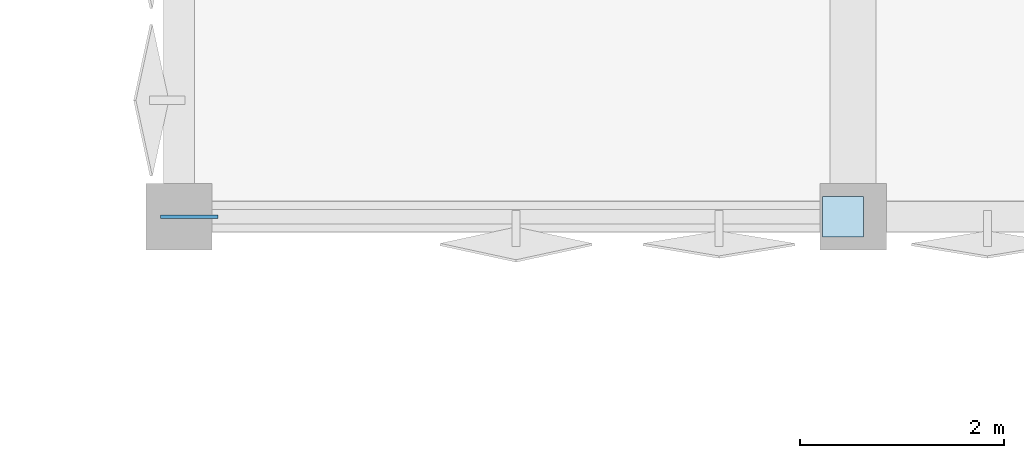
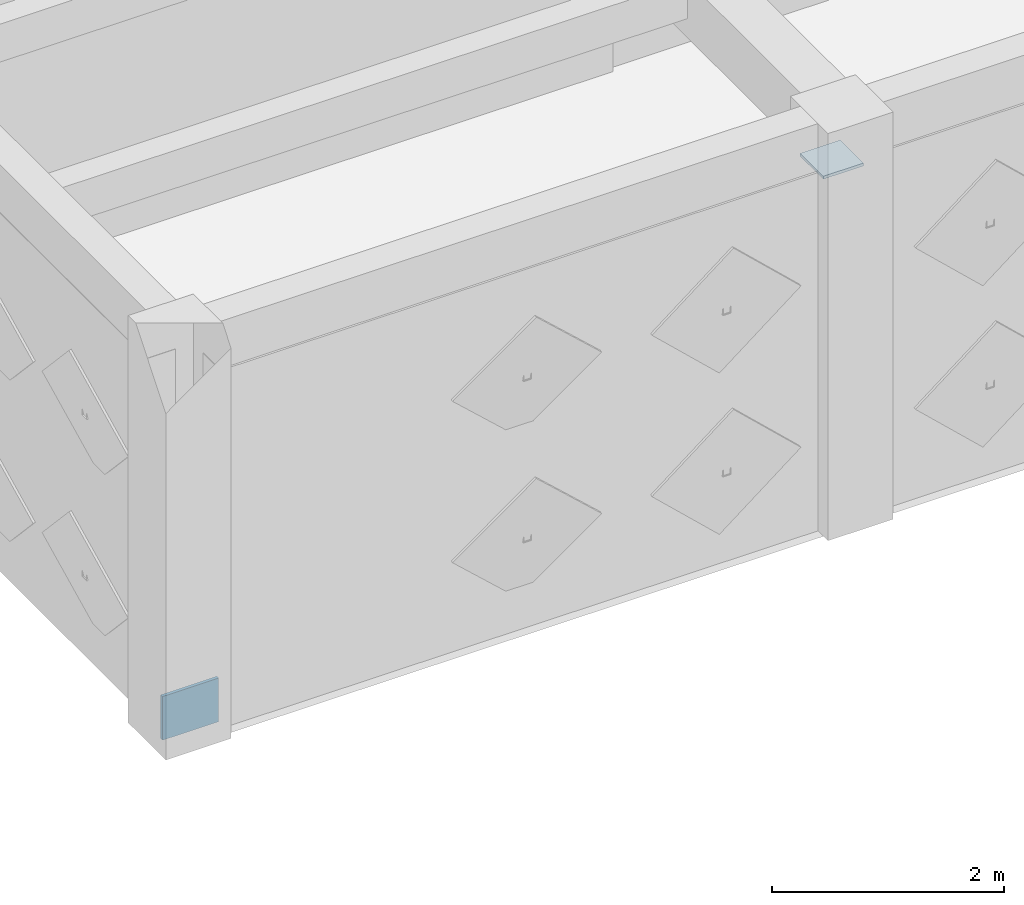
# One storey, part 34 of 48: 2 plates.
"""IFC4 building model written with IfcOpenShell, lengths in metres."""

from ifc_helpers import new_model, si_unit, direction, frame, origin, origin_2d, place, context, subcontext, project, spatial, rectangle, extrude, material, layer, layer_set, type_object, element, save


model = new_model("IFC4")

# Units and contexts
model_context = context("Model", 3, precision=1e-05, world=origin(), true_north=direction((0.0, 1.0)))
body_context = subcontext(model_context, "Body", "Model", "MODEL_VIEW")
ifc_project = project(units=[si_unit("LENGTHUNIT", "METRE"), si_unit("AREAUNIT", "SQUARE_METRE"), si_unit("VOLUMEUNIT", "CUBIC_METRE"), si_unit("PLANEANGLEUNIT", "RADIAN"), si_unit("MASSUNIT", "GRAM", prefix="KILO")], contexts=[model_context])

# Site, building, storey
site_placement = place(None, origin())
site = spatial("IfcSite", under=ifc_project, at=site_placement, CompositionType="ELEMENT")
building_placement = place(site_placement, origin())
building = spatial("IfcBuilding", under=site, at=building_placement, Name="Kharisveld Research Institute", CompositionType="ELEMENT")
storey_placement = place(building_placement, frame((0.0, 0.0, 14.10009765625)))
storey = spatial("IfcBuildingStorey", under=building, at=storey_placement, Name="L03", CompositionType="ELEMENT", Elevation=14.10009765625)

# Plates
ifc_material_1 = material(Name="Steel S355JR", Category="steel")
ifc_layer_1 = layer(ifc_material_1, 0.030029296875)
ifc_layer_set_1 = layer_set([ifc_layer_1], Name="PL_CAP_E")
plate_type_1 = type_object("IfcPlateType", Name="PL_CAP_E", PredefinedType="SHEET", material=ifc_layer_set_1)
plate_1_placement = place(storey_placement, frame((121.10009765625, 39.199951171875, 3.72509765625), z_axis=(0.0, 0.0, 1.0), x_axis=(1.0, 0.0, 0.0)))
element("IfcPlate", 1, at=plate_1_placement, inside=storey, type_object=plate_type_1, Name="PLT:V2:L03:CAP_0_0", PredefinedType="SHEET", context=body_context, shape_type="SweptSolid", body=[
    extrude(rectangle(XDim=0.39990234375, YDim=0.39990234375, at=origin_2d()), origin(), (0.0, 0.0, 1.0), 0.030029296875),
])
ifc_material_2 = material(Name="Steel S355JR", Category="steel")
ifc_layer_2 = layer(ifc_material_2, 0.031982421875)
ifc_layer_set_2 = layer_set([ifc_layer_2], Name="PL_GUS_E")
plate_type_2 = type_object("IfcPlateType", Name="PL_GUS_E", PredefinedType="USERDEFINED", material=ifc_layer_set_2)
plate_2_placement = place(storey_placement, frame((114.699951171875, 39.199951171875, -0.030029296875), z_axis=(0.0, 0.0, 1.0), x_axis=(1.0, 0.0, 0.0)))
element("IfcPlate", 2, at=plate_2_placement, inside=storey, type_object=plate_type_2, Name="PLT:V2:L03:GUS_0_0", ObjectType="GUSSET PLATE", PredefinedType="USERDEFINED", context=body_context, shape_type="SweptSolid", body=[
    extrude(rectangle(XDim=0.56005859375, YDim=0.031982421875, at=origin_2d()), origin(), (0.0, 0.0, 1.0), 0.4599609375),
])

save(model, "model.ifc")
